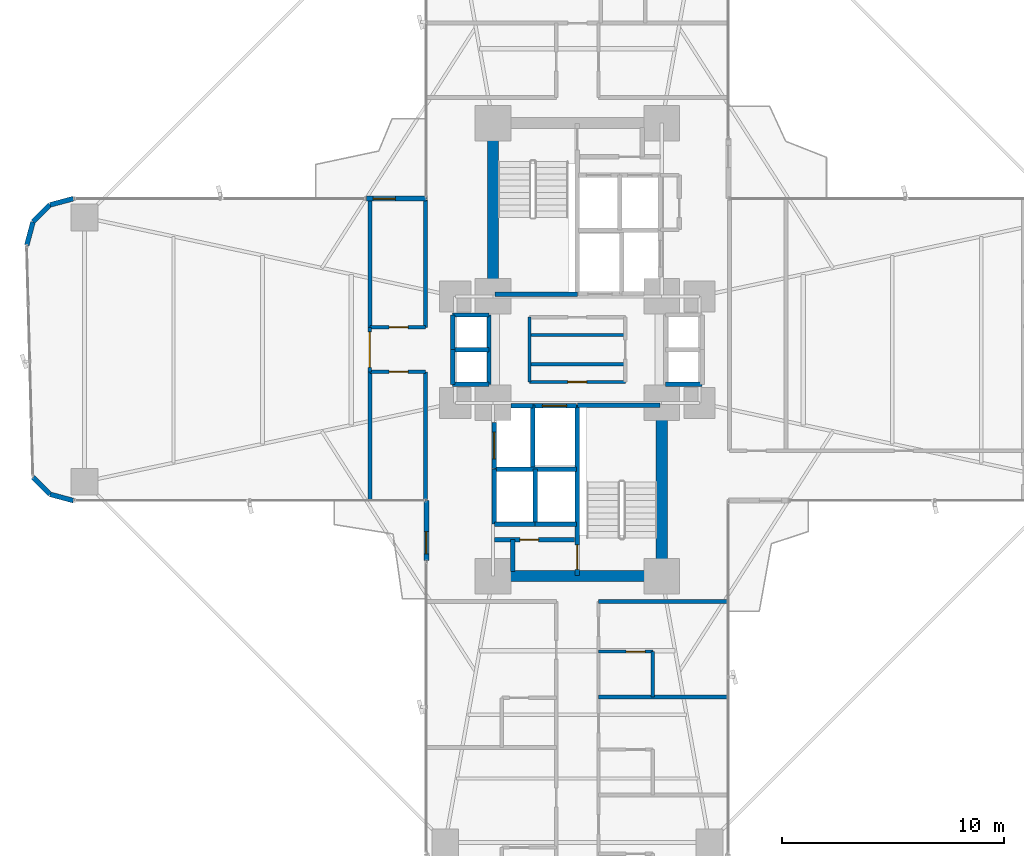
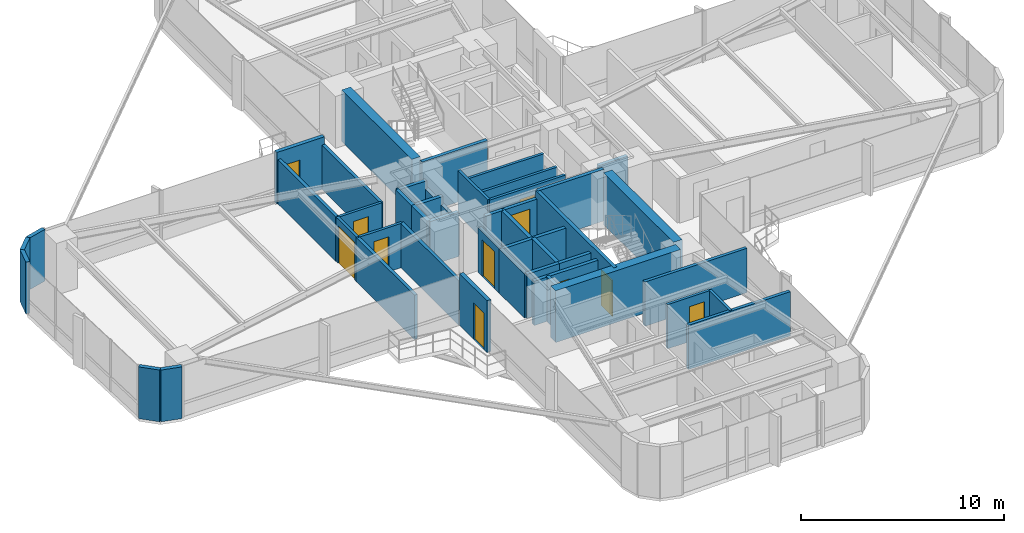
# One storey, part 22 of 25: 46 walls, 11 doors, 11 openings.
"""IFC4 building model written with IfcOpenShell, lengths in metres."""

from ifc_helpers import new_model, si_unit, direction, frame, frame_2d, origin, origin_2d, place, context, subcontext, project, spatial, rectangle, extrude, source, transform, mapped, material, layer, layer_set, type_object, element, fill, save


model = new_model("IFC4")

# Units and contexts
model_context = context("Model", 3, precision=1e-05, world=origin(), true_north=direction((0.0, 1.0)))
body_context = subcontext(model_context, "Body", "Model", "MODEL_VIEW")
ifc_project = project(units=[si_unit("LENGTHUNIT", "METRE"), si_unit("AREAUNIT", "SQUARE_METRE"), si_unit("VOLUMEUNIT", "CUBIC_METRE"), si_unit("PLANEANGLEUNIT", "RADIAN"), si_unit("MASSUNIT", "GRAM", prefix="KILO")], contexts=[model_context])

# Site, building, storey
site_placement = place(None, origin())
site = spatial("IfcSite", under=ifc_project, at=site_placement, CompositionType="ELEMENT")
building_placement = place(site_placement, origin())
building = spatial("IfcBuilding", under=site, at=building_placement, Name="Sahyath Konkavel Grand Hotel", CompositionType="ELEMENT")
storey_placement = place(building_placement, frame((0.0, 0.0, 64.449951171875)))
storey = spatial("IfcBuildingStorey", under=building, at=storey_placement, Name="L17", CompositionType="ELEMENT", Elevation=64.449951171875)

# Walls
ifc_material_1 = material(Name="Concrete C70/85", Category="concrete")
ifc_layer_1 = layer(ifc_material_1, 0.5)
ifc_layer_set_1 = layer_set([ifc_layer_1], Name="Concrete C70/85")
wall_type_1 = type_object("IfcWallType", Name="CWALL-500", PredefinedType="SHEAR", material=ifc_layer_set_1)
wall_1_placement = place(storey_placement, frame((-3.800048828125, 2.85009765625, 0.0), z_axis=(0.0, 0.0, 1.0), x_axis=(0.0, 1.0, 0.0)))
element("IfcWall", 1, at=wall_1_placement, inside=storey, type_object=wall_type_1, Name="L17 North Core Shear Wall W", PredefinedType="SHEAR", context=body_context, shape_type="SweptSolid", body=[
    extrude(rectangle(XDim=6.89990234375, YDim=0.5, at=frame_2d((3.449951171875, 0.0))), origin(), (0.0, 0.0, 1.0), 3.110107421875),
])
wall_2_placement = place(storey_placement, frame((-3.550048828125, -10.199951171875, 0.0), z_axis=(0.0, 0.0, 1.0), x_axis=(1.0, 0.0, 0.0)))
element("IfcWall", 2, at=wall_2_placement, inside=storey, type_object=wall_type_1, Name="L17 South Core Shear Wall S", PredefinedType="SHEAR", context=body_context, shape_type="SweptSolid", body=[
    extrude(rectangle(XDim=7.10009765625, YDim=0.5, at=frame_2d((3.550048828125, 0.0))), origin(), (0.0, 0.0, 1.0), 3.110107421875),
])
wall_3_placement = place(storey_placement, frame((3.800048828125, -9.75, 0.0), z_axis=(0.0, 0.0, 1.0), x_axis=(0.0, 1.0, 0.0)))
element("IfcWall", 3, at=wall_3_placement, inside=storey, type_object=wall_type_1, Name="L17 South Core Shear Wall E", PredefinedType="SHEAR", context=body_context, shape_type="SweptSolid", body=[
    extrude(rectangle(XDim=6.89990234375, YDim=0.5, at=frame_2d((3.449951171875, 0.0))), origin(), (0.0, 0.0, 1.0), 3.110107421875),
])

# Wall, opening, door
ifc_material_2 = material(Name="Warm Buff Sandstone Insulated Concrete C40/50", Category="masonry")
ifc_layer_2 = layer(ifc_material_2, 0.219970703125)
ifc_layer_set_2 = layer_set([ifc_layer_2], Name="Warm Buff Sandstone Insulated Concrete C40/50")
wall_type_2 = type_object("IfcWallType", Name="WLL-BALC-THRESH", PredefinedType="STANDARD", material=ifc_layer_set_2)
wall_4_placement = place(storey_placement, frame((-6.800048828125, 6.800048828125, 0.0), z_axis=(0.0, 0.0, 1.0), x_axis=(-1.0, 0.0, 0.0)))
wall_4 = element("IfcWall", 4, at=wall_4_placement, inside=storey, type_object=wall_type_2, Name="L17 Winter-Garden Threshold Wall 16", PredefinedType="STANDARD", context=body_context, shape_type="SweptSolid", body=[
    extrude(rectangle(XDim=2.699951171875, YDim=0.219970703125, at=frame_2d((1.35009765625, 0.0))), origin(), (0.0, 0.0, 1.0), 3.110107421875),
])
opening_1_placement = place(wall_4_placement, frame((1.39990234375, 0.0, 0.0)))
opening_1 = element("IfcOpeningElement", 5, at=opening_1_placement, cuts=wall_4, Name="Opening D-TR1", PredefinedType="OPENING", context=body_context, shape_type="SweptSolid", body=[
    extrude(rectangle(XDim=1.0, YDim=2.199951171875, at=frame_2d((0.5, 1.10009765625))), frame((0.0, 0.1201171875, 0.0), z_axis=(0.0, -1.0, 0.0), x_axis=(1.0, 0.0, 0.0)), (0.0, 0.0, 1.0), 0.239990234375),
])
ifc_material_3 = material(Name="Anodised Bronze Aluminium & Low-E Glazing", Category="aluminium")
door_type_1 = type_object("IfcDoorType", Name="DR-TERRACE-1000", OperationType="NOTDEFINED", PredefinedType="DOOR", material=ifc_material_3)
shared_shape_1 = source(origin(), body_context, "Body", "SweptSolid", [
    extrude(rectangle(XDim=1.0, YDim=0.050048828125, at=origin_2d()), origin(), (0.0, 0.0, 1.0), 2.199951171875),
])
door_1_placement = place(opening_1_placement, frame((0.5, 0.0, 0.0)))
door_1 = element("IfcDoor", 6, at=door_1_placement, inside=storey, type_object=door_type_1, Name="L17 Winter-Garden Terrace Door 16", OperationType="SINGLE_SWING_LEFT", OverallHeight=2.199951171875, OverallWidth=1.0, PredefinedType="DOOR", context=body_context, shape_type="MappedRepresentation", body=[
    mapped(shared_shape_1, transform((0.0, 0.0, 0.0), scale=1.0)),
])
fill(opening_1, door_1)

# Walls
for number, where, z_axis, x_axis, name in (
    (7, (-22.699951171875, 6.800048828125, 0.0), (0.0, 0.0, 1.0), (-0.965951058412, -0.25872485917, 0.0), "L17 Rounded Corner Sandstone Pier 17"),
    (8, (-23.75, 6.518798828125, 0.0), (0.0, 0.0, 1.0), (-0.707106781187, -0.707106781187, 0.0), "L17 Rounded Corner Sandstone Pier 18"),
    (9, (-24.518798828125, 5.75, 0.0), (0.0, 0.0, 1.0), (-0.25872485917, -0.965951058412, 0.0), "L17 Rounded Corner Sandstone Pier 19"),
    (10, (-24.518798828125, -5.75, 0.0), (0.0, 0.0, 1.0), (0.707106781187, -0.707106781187, 0.0), "L17 Rounded Corner Sandstone Pier 21"),
    (11, (-23.75, -6.518798828125, 0.0), (0.0, 0.0, 1.0), (0.965951058412, -0.25872485917, 0.0), "L17 Rounded Corner Sandstone Pier 22"),
):
    element("IfcWall", number, at=place(storey_placement, frame(where, z_axis=z_axis, x_axis=x_axis)), inside=storey, type_object=wall_type_2, Name=name, PredefinedType="STANDARD", context=body_context, shape_type="SweptSolid", body=[
        extrude(rectangle(XDim=1.087158203125, YDim=0.219970703125, at=frame_2d((0.54345703125, 0.0))), origin(), (0.0, 0.0, 1.0), 3.110107421875),
    ])

# Wall, opening, door
wall_5_placement = place(storey_placement, frame((-6.800048828125, -6.800048828125, 0.0), z_axis=(0.0, 0.0, 1.0), x_axis=(0.0, -1.0, 0.0)))
wall_5 = element("IfcWall", 12, at=wall_5_placement, inside=storey, type_object=wall_type_2, Name="L17 Winter-Garden Threshold Wall 24", PredefinedType="STANDARD", context=body_context, shape_type="SweptSolid", body=[
    extrude(rectangle(XDim=2.699951171875, YDim=0.219970703125, at=frame_2d((1.35009765625, 0.0))), origin(), (0.0, 0.0, 1.0), 3.110107421875),
])
opening_2_placement = place(wall_5_placement, frame((1.39990234375, 0.0, 0.0)))
opening_2 = element("IfcOpeningElement", 13, at=opening_2_placement, cuts=wall_5, Name="Opening D-TR1", PredefinedType="OPENING", context=body_context, shape_type="SweptSolid", body=[
    extrude(rectangle(XDim=1.0, YDim=2.199951171875, at=frame_2d((0.5, 1.10009765625))), frame((0.0, 0.1201171875, 0.0), z_axis=(0.0, -1.0, 0.0), x_axis=(1.0, 0.0, 0.0)), (0.0, 0.0, 1.0), 0.239990234375),
])
door_2_placement = place(opening_2_placement, frame((0.5, 0.0, 0.0)))
door_2 = element("IfcDoor", 14, at=door_2_placement, inside=storey, type_object=door_type_1, Name="L17 Winter-Garden Terrace Door 24", OperationType="SINGLE_SWING_LEFT", OverallHeight=2.199951171875, OverallWidth=1.0, PredefinedType="DOOR", context=body_context, shape_type="MappedRepresentation", body=[
    mapped(shared_shape_1, transform((0.0, 0.0, 0.0), scale=1.0)),
])
fill(opening_2, door_2)

# Wall
ifc_material_4 = material(Name="Concrete C40/50", Category="concrete")
ifc_layer_3 = layer(ifc_material_4, 0.199951171875)
ifc_layer_set_3 = layer_set([ifc_layer_3], Name="Concrete C40/50")
wall_type_3 = type_object("IfcWallType", Name="WLL-CORE-200", PredefinedType="SOLIDWALL", material=ifc_layer_set_3)
wall_6_placement = place(storey_placement, frame((-3.719970703125, 2.5, 0.0), z_axis=(0.0, 0.0, 1.0), x_axis=(1.0, 0.0, 0.0)))
element("IfcWall", 15, at=wall_6_placement, inside=storey, type_object=wall_type_3, Name="L17 Stair ST-1 Shaft Wall S", PredefinedType="SOLIDWALL", context=body_context, shape_type="SweptSolid", body=[
    extrude(rectangle(XDim=3.719970703125, YDim=0.199951171875, at=frame_2d((1.85986328125, 0.0))), origin(), (0.0, 0.0, 1.0), 3.110107421875),
])

# Wall, opening, door
wall_7_placement = place(storey_placement, frame((0.0, -10.179931640625, 0.0), z_axis=(0.0, 0.0, 1.0), x_axis=(0.0, 1.0, 0.0)))
wall_7 = element("IfcWall", 16, at=wall_7_placement, inside=storey, type_object=wall_type_3, Name="L17 Stair ST-2 Shaft Wall W", PredefinedType="SOLIDWALL", context=body_context, shape_type="SweptSolid", body=[
    extrude(rectangle(XDim=7.679931640625, YDim=0.199951171875, at=frame_2d((3.83984375, 0.0))), origin(), (0.0, 0.0, 1.0), 3.110107421875),
])
opening_3_placement = place(wall_7_placement, frame((0.280029296875, 0.0, 0.0)))
opening_3 = element("IfcOpeningElement", 17, at=opening_3_placement, cuts=wall_7, Name="Opening D-F12B", PredefinedType="OPENING", context=body_context, shape_type="SweptSolid", body=[
    extrude(rectangle(XDim=1.10009765625, YDim=2.14990234375, at=frame_2d((0.550048828125, 1.074951171875))), frame((0.0, 0.10986328125, 0.0), z_axis=(0.0, -1.0, 0.0), x_axis=(1.0, 0.0, 0.0)), (0.0, 0.0, 1.0), 0.219970703125),
])
ifc_material_5 = material(Name="Steel E350 Smokeproof Fire Door", Category="steel")
door_type_2 = type_object("IfcDoorType", Name="DR-FD120-1100", OperationType="NOTDEFINED", PredefinedType="DOOR", material=ifc_material_5)
shared_shape_2 = source(origin(), body_context, "Body", "SweptSolid", [
    extrude(rectangle(XDim=1.10009765625, YDim=0.050048828125, at=origin_2d()), origin(), (0.0, 0.0, 1.0), 2.14990234375),
])
door_3_placement = place(opening_3_placement, frame((0.550048828125, 0.0, 0.0)))
door_3 = element("IfcDoor", 18, at=door_3_placement, inside=storey, type_object=door_type_2, Name="L17 Stair ST-2 Fire Door", OperationType="SINGLE_SWING_LEFT", OverallHeight=2.14990234375, OverallWidth=1.10009765625, PredefinedType="DOOR", context=body_context, shape_type="MappedRepresentation", body=[
    mapped(shared_shape_2, transform((0.0, 0.0, 0.0), scale=1.0)),
])
fill(opening_3, door_3)

# Walls
wall_8_placement = place(storey_placement, frame((0.0, -2.5, 0.0), z_axis=(0.0, 0.0, 1.0), x_axis=(1.0, 0.0, 0.0)))
element("IfcWall", 19, at=wall_8_placement, inside=storey, type_object=wall_type_3, Name="L17 Stair ST-2 Shaft Wall N", PredefinedType="SOLIDWALL", context=body_context, shape_type="SweptSolid", body=[
    extrude(rectangle(XDim=3.719970703125, YDim=0.199951171875, at=frame_2d((1.85986328125, 0.0))), origin(), (0.0, 0.0, 1.0), 3.110107421875),
])
wall_9_placement = place(storey_placement, frame((-2.0, -5.280029296875, 0.0), z_axis=(0.0, 0.0, 1.0), x_axis=(0.0, 1.0, 0.0)))
element("IfcWall", 20, at=wall_9_placement, inside=storey, type_object=wall_type_3, Name="L17 Partition SH-FFL2-W", PredefinedType="SOLIDWALL", context=body_context, shape_type="SweptSolid", body=[
    extrude(rectangle(XDim=2.780029296875, YDim=0.199951171875, at=frame_2d((1.39013671875, 0.0))), origin(), (0.0, 0.0, 1.0), 2.66015625),
])

# Wall, opening, door
wall_10_placement = place(storey_placement, frame((-2.0, -2.52001953125, 0.0), z_axis=(0.0, 0.0, 1.0), x_axis=(1.0, 0.0, 0.0)))
wall_10 = element("IfcWall", 21, at=wall_10_placement, inside=storey, type_object=wall_type_3, Name="L17 Partition SH-FFL2-N", PredefinedType="SOLIDWALL", context=body_context, shape_type="SweptSolid", body=[
    extrude(rectangle(XDim=1.949951171875, YDim=0.199951171875, at=frame_2d((0.97509765625, 0.0))), origin(), (0.0, 0.0, 1.0), 2.66015625),
])
opening_4_placement = place(wall_10_placement, frame((0.419921875, 0.0, 0.0)))
opening_4 = element("IfcOpeningElement", 22, at=opening_4_placement, cuts=wall_10, Name="Opening LD-11", PredefinedType="OPENING", context=body_context, shape_type="SweptSolid", body=[
    extrude(rectangle(XDim=1.10009765625, YDim=2.199951171875, at=frame_2d((0.550048828125, 1.10009765625))), frame((0.0, 0.10986328125, 0.0), z_axis=(0.0, -1.0, 0.0), x_axis=(1.0, 0.0, 0.0)), (0.0, 0.0, 1.0), 0.219970703125),
])
ifc_material_6 = material(Name="Bronze Lift Landing Door 1100")
door_type_3 = type_object("IfcDoorType", Name="DR-LIFT-1100", OperationType="DOUBLE_DOOR_SLIDING", PredefinedType="DOOR", material=ifc_material_6)
shared_shape_3 = source(origin(), body_context, "Body", "SweptSolid", [
    extrude(rectangle(XDim=1.10009765625, YDim=0.050048828125, at=origin_2d()), origin(), (0.0, 0.0, 1.0), 2.199951171875),
])
door_4_placement = place(opening_4_placement, frame((0.550048828125, 0.0, 0.0)))
door_4 = element("IfcDoor", 23, at=door_4_placement, inside=storey, type_object=door_type_3, Name="L17 Lift FFL-2 Landing Door", OperationType="DOUBLE_DOOR_SLIDING", OverallHeight=2.199951171875, OverallWidth=1.10009765625, PredefinedType="DOOR", context=body_context, shape_type="MappedRepresentation", body=[
    mapped(shared_shape_3, transform((0.0, 0.0, 0.0), scale=1.0)),
])
fill(opening_4, door_4)

# Wall
wall_11_placement = place(storey_placement, frame((-3.0, -2.52001953125, 0.0), z_axis=(0.0, 0.0, 1.0), x_axis=(1.0, 0.0, 0.0)))
element("IfcWall", 24, at=wall_11_placement, inside=storey, type_object=wall_type_3, Name="L17 Partition SH-SVL2-N", PredefinedType="SOLIDWALL", context=body_context, shape_type="SweptSolid", body=[
    extrude(rectangle(XDim=1.0, YDim=0.199951171875, at=frame_2d((0.5, 0.0))), origin(), (0.0, 0.0, 1.0), 2.66015625),
])

# Wall, opening, door
wall_12_placement = place(storey_placement, frame((-3.739990234375, -5.360107421875, 0.0), z_axis=(0.0, 0.0, 1.0), x_axis=(0.0, 1.0, 0.0)))
wall_12 = element("IfcWall", 25, at=wall_12_placement, inside=storey, type_object=wall_type_3, Name="L17 Partition SH-SVL2-W", PredefinedType="SOLIDWALL", context=body_context, shape_type="SweptSolid", body=[
    extrude(rectangle(XDim=2.080078125, YDim=0.199951171875, at=frame_2d((1.0400390625, 0.0))), origin(), (0.0, 0.0, 1.0), 2.66015625),
])
opening_5_placement = place(wall_12_placement, frame((0.43994140625, 0.0, 0.0)))
opening_5 = element("IfcOpeningElement", 26, at=opening_5_placement, cuts=wall_12, Name="Opening LD-12", PredefinedType="OPENING", context=body_context, shape_type="SweptSolid", body=[
    extrude(rectangle(XDim=1.199951171875, YDim=2.199951171875, at=frame_2d((0.60009765625, 1.10009765625))), frame((0.0, 0.10986328125, 0.0), z_axis=(0.0, -1.0, 0.0), x_axis=(1.0, 0.0, 0.0)), (0.0, 0.0, 1.0), 0.219970703125),
])
ifc_material_7 = material(Name="Stainless Steel Lift Landing Door 1200", Category="steel")
door_type_4 = type_object("IfcDoorType", Name="DR-LIFT-1200", OperationType="DOUBLE_DOOR_SLIDING", PredefinedType="DOOR", material=ifc_material_7)
shared_shape_4 = source(origin(), body_context, "Body", "SweptSolid", [
    extrude(rectangle(XDim=1.199951171875, YDim=0.050048828125, at=origin_2d()), origin(), (0.0, 0.0, 1.0), 2.199951171875),
])
door_5_placement = place(opening_5_placement, frame((0.60009765625, 0.0, 0.0)))
door_5 = element("IfcDoor", 27, at=door_5_placement, inside=storey, type_object=door_type_4, Name="L17 Service Lift SVL-2 Landing Door", OperationType="DOUBLE_DOOR_SLIDING", OverallHeight=2.199951171875, OverallWidth=1.199951171875, PredefinedType="DOOR", context=body_context, shape_type="MappedRepresentation", body=[
    mapped(shared_shape_4, transform((0.0, 0.0, 0.0), scale=1.0)),
])
fill(opening_5, door_5)

# Walls
wall_13_placement = place(storey_placement, frame((-3.739990234375, -7.860107421875, 0.0), z_axis=(0.0, 0.0, 1.0), x_axis=(0.0, 1.0, 0.0)))
element("IfcWall", 28, at=wall_13_placement, inside=storey, type_object=wall_type_3, Name="L17 Partition SH-PL3-W", PredefinedType="SOLIDWALL", context=body_context, shape_type="SweptSolid", body=[
    extrude(rectangle(XDim=2.480224609375, YDim=0.199951171875, at=frame_2d((1.240234375, 0.0))), origin(), (0.0, 0.0, 1.0), 2.66015625),
])
wall_14_placement = place(storey_placement, frame((-3.739990234375, -7.860107421875, 0.0), z_axis=(0.0, 0.0, 1.0), x_axis=(1.0, 0.0, 0.0)))
element("IfcWall", 29, at=wall_14_placement, inside=storey, type_object=wall_type_3, Name="L17 Partition SH-PL3-S", PredefinedType="SOLIDWALL", context=body_context, shape_type="SweptSolid", body=[
    extrude(rectangle(XDim=1.840087890625, YDim=0.199951171875, at=frame_2d((0.919921875, 0.0))), origin(), (0.0, 0.0, 1.0), 2.66015625),
])
wall_15_placement = place(storey_placement, frame((-3.739990234375, -5.3798828125, 0.0), z_axis=(0.0, 0.0, 1.0), x_axis=(1.0, 0.0, 0.0)))
element("IfcWall", 30, at=wall_15_placement, inside=storey, type_object=wall_type_3, Name="L17 Partition SH-PL34-N", PredefinedType="SOLIDWALL", context=body_context, shape_type="SweptSolid", body=[
    extrude(rectangle(XDim=3.68994140625, YDim=0.199951171875, at=frame_2d((1.844970703125, 0.0))), origin(), (0.0, 0.0, 1.0), 2.66015625),
])
wall_16_placement = place(storey_placement, frame((-1.89990234375, -7.860107421875, 0.0), z_axis=(0.0, 0.0, 1.0), x_axis=(0.0, 1.0, 0.0)))
element("IfcWall", 31, at=wall_16_placement, inside=storey, type_object=wall_type_3, Name="L17 Partition SH-PL34-M", PredefinedType="SOLIDWALL", context=body_context, shape_type="SweptSolid", body=[
    extrude(rectangle(XDim=2.480224609375, YDim=0.199951171875, at=frame_2d((1.240234375, 0.0))), origin(), (0.0, 0.0, 1.0), 2.66015625),
])
wall_17_placement = place(storey_placement, frame((-1.89990234375, -7.860107421875, 0.0), z_axis=(0.0, 0.0, 1.0), x_axis=(1.0, 0.0, 0.0)))
element("IfcWall", 32, at=wall_17_placement, inside=storey, type_object=wall_type_3, Name="L17 Partition SH-PL4-S", PredefinedType="SOLIDWALL", context=body_context, shape_type="SweptSolid", body=[
    extrude(rectangle(XDim=1.849853515625, YDim=0.199951171875, at=frame_2d((0.9248046875, 0.0))), origin(), (0.0, 0.0, 1.0), 2.66015625),
])
wall_18_placement = place(storey_placement, frame((3.97998046875, -1.56005859375, 0.0), z_axis=(0.0, 0.0, 1.0), x_axis=(1.0, 0.0, 0.0)))
element("IfcWall", 33, at=wall_18_placement, inside=storey, type_object=wall_type_3, Name="L17 Partition SH-PL56-S", PredefinedType="SOLIDWALL", context=body_context, shape_type="SweptSolid", body=[
    extrude(rectangle(XDim=1.64013671875, YDim=0.199951171875, at=frame_2d((0.820068359375, 0.0))), origin(), (0.0, 0.0, 1.0), 2.66015625),
])
wall_19_placement = place(storey_placement, frame((-3.97998046875, -1.56005859375, 0.0), z_axis=(0.0, 0.0, 1.0), x_axis=(0.0, 1.0, 0.0)))
element("IfcWall", 34, at=wall_19_placement, inside=storey, type_object=wall_type_3, Name="L17 Partition SH-SL12-E", PredefinedType="SOLIDWALL", context=body_context, shape_type="SweptSolid", body=[
    extrude(rectangle(XDim=3.1201171875, YDim=0.199951171875, at=frame_2d((1.56005859375, 0.0))), origin(), (0.0, 0.0, 1.0), 2.179931640625),
])
for number, where, z_axis, x_axis, name in (
    (35, (-5.6201171875, 1.56005859375, 0.0), (0.0, 0.0, 1.0), (1.0, 0.0, 0.0), "L17 Partition SH-SL12-N"),
    (36, (-5.6201171875, -1.56005859375, 0.0), (0.0, 0.0, 1.0), (1.0, 0.0, 0.0), "L17 Partition SH-SL12-S"),
    (37, (-5.6201171875, 0.0, 0.0), (0.0, 0.0, 1.0), (1.0, 0.0, 0.0), "L17 Partition SH-SL12-M"),
):
    element("IfcWall", number, at=place(storey_placement, frame(where, z_axis=z_axis, x_axis=x_axis)), inside=storey, type_object=wall_type_3, Name=name, PredefinedType="SOLIDWALL", context=body_context, shape_type="SweptSolid", body=[
        extrude(rectangle(XDim=1.64013671875, YDim=0.199951171875, at=frame_2d((0.820068359375, 0.0))), origin(), (0.0, 0.0, 1.0), 2.66015625),
    ])
for number, where, z_axis, x_axis, name in (
    (38, (-5.6201171875, 0.0, 0.0), (0.0, 0.0, 1.0), (0.0, 1.0, 0.0), "L17 Partition SH-SL1-W"),
    (39, (-5.6201171875, -1.56005859375, 0.0), (0.0, 0.0, 1.0), (0.0, 1.0, 0.0), "L17 Partition SH-SL2-W"),
):
    element("IfcWall", number, at=place(storey_placement, frame(where, z_axis=z_axis, x_axis=x_axis)), inside=storey, type_object=wall_type_3, Name=name, PredefinedType="SOLIDWALL", context=body_context, shape_type="SweptSolid", body=[
        extrude(rectangle(XDim=1.56005859375, YDim=0.199951171875, at=frame_2d((0.780029296875, 0.0))), origin(), (0.0, 0.0, 1.0), 2.66015625),
    ])

# Wall, opening, door
wall_20_placement = place(storey_placement, frame((-3.739990234375, -8.56005859375, 0.0), z_axis=(0.0, 0.0, 1.0), x_axis=(1.0, 0.0, 0.0)))
wall_20 = element("IfcWall", 40, at=wall_20_placement, inside=storey, type_object=wall_type_3, Name="L17 South FF Lobby Separation Wall", PredefinedType="SOLIDWALL", context=body_context, shape_type="SweptSolid", body=[
    extrude(rectangle(XDim=3.619873046875, YDim=0.199951171875, at=frame_2d((1.81005859375, 0.0))), origin(), (0.0, 0.0, 1.0), 2.66015625),
])
opening_6_placement = place(wall_20_placement, frame((1.14990234375, 0.0, 0.0)))
opening_6 = element("IfcOpeningElement", 41, at=opening_6_placement, cuts=wall_20, Name="Opening D-F12D", PredefinedType="OPENING", context=body_context, shape_type="SweptSolid", body=[
    extrude(rectangle(XDim=0.85009765625, YDim=2.10009765625, at=frame_2d((0.425048828125, 1.050048828125))), frame((0.0, 0.10986328125, 0.0), z_axis=(0.0, -1.0, 0.0), x_axis=(1.0, 0.0, 0.0)), (0.0, 0.0, 1.0), 0.219970703125),
])
ifc_material_8 = material(Name="Steel E350 Core Fire Door", Category="steel")
door_type_5 = type_object("IfcDoorType", Name="DR-FD120-850", OperationType="NOTDEFINED", PredefinedType="DOOR", material=ifc_material_8)
shared_shape_5 = source(origin(), body_context, "Body", "SweptSolid", [
    extrude(rectangle(XDim=0.85009765625, YDim=0.050048828125, at=origin_2d()), origin(), (0.0, 0.0, 1.0), 2.10009765625),
])
door_6_placement = place(opening_6_placement, frame((0.425048828125, 0.0, 0.0)))
door_6 = element("IfcDoor", 42, at=door_6_placement, inside=storey, type_object=door_type_5, Name="L17 South Firefighting Lobby Door", OperationType="SINGLE_SWING_RIGHT", OverallHeight=2.10009765625, OverallWidth=0.85009765625, PredefinedType="DOOR", context=body_context, shape_type="MappedRepresentation", body=[
    mapped(shared_shape_5, transform((0.0, 0.0, 0.0), scale=1.0)),
])
fill(opening_6, door_6)

# Walls
wall_21_placement = place(storey_placement, frame((-2.919921875, -10.0, 0.0), z_axis=(0.0, 0.0, 1.0), x_axis=(0.0, 1.0, 0.0)))
element("IfcWall", 43, at=wall_21_placement, inside=storey, type_object=wall_type_3, Name="L17 Partition SFF-W2", PredefinedType="SOLIDWALL", context=body_context, shape_type="SweptSolid", body=[
    extrude(rectangle(XDim=1.43994140625, YDim=0.199951171875, at=frame_2d((0.719970703125, 0.0))), origin(), (0.0, 0.0, 1.0), 2.66015625),
])
ifc_material_9 = material(Name="Twin-Stud Acoustic Gypsum Plasterboard Partition")
ifc_layer_4 = layer(ifc_material_9, 0.179931640625)
ifc_layer_set_4 = layer_set([ifc_layer_4], Name="Twin-Stud Acoustic Gypsum Plasterboard Partition")
wall_type_4 = type_object("IfcWallType", Name="WLL-DEMISE-180", PredefinedType="PARTITIONING", material=ifc_layer_set_4)
for number, where, z_axis, x_axis, name in (
    (44, (-6.85009765625, -1.0, 0.0), (0.0, 0.0, 1.0), (0.0, -1.0, 0.0), "L17 Partition W-I0L"),
    (45, (-6.85009765625, 6.75, 0.0), (0.0, 0.0, 1.0), (0.0, -1.0, 0.0), "L17 Partition W-I0R"),
    (46, (-9.35009765625, 1.0, 0.0), (0.0, 0.0, 1.0), (0.0, 1.0, 0.0), "L17 Partition W-WHK0-DEM"),
    (47, (-9.35009765625, -1.0, 0.0), (0.0, 0.0, 1.0), (0.0, -1.0, 0.0), "L17 Partition W-WST0-DEM"),
):
    element("IfcWall", number, at=place(storey_placement, frame(where, z_axis=z_axis, x_axis=x_axis)), inside=storey, type_object=wall_type_4, Name=name, PredefinedType="PARTITIONING", context=body_context, shape_type="SweptSolid", body=[
        extrude(rectangle(XDim=5.75, YDim=0.179931640625, at=frame_2d((2.875, 0.0))), origin(), (0.0, 0.0, 1.0), 2.66015625),
    ])
for number, where, z_axis, x_axis, name in (
    (48, (0.949951171875, -11.35009765625, 0.0), (0.0, 0.0, 1.0), (1.0, 0.0, 0.0), "L17 Partition S-INL"),
    (49, (0.949951171875, -15.637939453125, 0.0), (0.0, 0.0, 1.0), (1.0, 0.0, 0.0), "L17 Partition S-S1L-DEM"),
):
    element("IfcWall", number, at=place(storey_placement, frame(where, z_axis=z_axis, x_axis=x_axis)), inside=storey, type_object=wall_type_4, Name=name, PredefinedType="PARTITIONING", context=body_context, shape_type="SweptSolid", body=[
        extrude(rectangle(XDim=5.800048828125, YDim=0.179931640625, at=frame_2d((2.89990234375, 0.0))), origin(), (0.0, 0.0, 1.0), 2.66015625),
    ])
ifc_material_10 = material(Name="Fire-Rated Gypsum Plasterboard Partition")
ifc_layer_5 = layer(ifc_material_10, 0.14990234375)
ifc_layer_set_5 = layer_set([ifc_layer_5], Name="Fire-Rated Gypsum Plasterboard Partition")
wall_type_5 = type_object("IfcWallType", Name="WLL-PART-150", PredefinedType="PARTITIONING", material=ifc_layer_set_5)
wall_22_placement = place(storey_placement, frame((-2.159912109375, -1.4599609375, 0.0), z_axis=(0.0, 0.0, 1.0), x_axis=(0.0, 1.0, 0.0)))
element("IfcWall", 50, at=wall_22_placement, inside=storey, type_object=wall_type_5, Name="L17 Partition CC-2W", PredefinedType="PARTITIONING", context=body_context, shape_type="SweptSolid", body=[
    extrude(rectangle(XDim=2.919921875, YDim=0.14990234375, at=frame_2d((1.4599609375, 0.0))), origin(), (0.0, 0.0, 1.0), 2.66015625),
])

# Wall, opening, door
wall_23_placement = place(storey_placement, frame((-2.159912109375, -1.4599609375, 0.0), z_axis=(0.0, 0.0, 1.0), x_axis=(1.0, 0.0, 0.0)))
wall_23 = element("IfcWall", 51, at=wall_23_placement, inside=storey, type_object=wall_type_5, Name="L17 Partition CC-2S", PredefinedType="PARTITIONING", context=body_context, shape_type="SweptSolid", body=[
    extrude(rectangle(XDim=4.31982421875, YDim=0.14990234375, at=frame_2d((2.159912109375, 0.0))), origin(), (0.0, 0.0, 1.0), 2.66015625),
])
opening_7_placement = place(wall_23_placement, frame((1.72998046875, 0.0, 0.0)))
opening_7 = element("IfcOpeningElement", 52, at=opening_7_placement, cuts=wall_23, Name="Opening D-F06D", PredefinedType="OPENING", context=body_context, shape_type="SweptSolid", body=[
    extrude(rectangle(XDim=0.85009765625, YDim=2.10009765625, at=frame_2d((0.425048828125, 1.050048828125))), frame((0.0, 0.0849609375, 0.0), z_axis=(0.0, -1.0, 0.0), x_axis=(1.0, 0.0, 0.0)), (0.0, 0.0, 1.0), 0.169921875),
])
ifc_material_11 = material(Name="Fire-Rated Shaft Access Door")
door_type_6 = type_object("IfcDoorType", Name="DR-FD60-850", OperationType="NOTDEFINED", PredefinedType="DOOR", material=ifc_material_11)
door_7_placement = place(opening_7_placement, frame((0.425048828125, 0.0, 0.0)))
door_7 = element("IfcDoor", 53, at=door_7_placement, inside=storey, type_object=door_type_6, Name="L17 Door CC-D2C", OperationType="SINGLE_SWING_RIGHT", OverallHeight=2.10009765625, OverallWidth=0.85009765625, PredefinedType="DOOR", context=body_context, shape_type="MappedRepresentation", body=[
    mapped(shared_shape_5, transform((0.0, 0.0, 0.0), scale=1.0)),
])
fill(opening_7, door_7)

# Walls
for number, where, z_axis, x_axis, name in (
    (54, (-2.159912109375, 0.659912109375, 0.0), (0.0, 0.0, 1.0), (1.0, 0.0, 0.0), "L17 Partition CC-2M1"),
    (55, (-2.159912109375, -0.659912109375, 0.0), (0.0, 0.0, 1.0), (1.0, 0.0, 0.0), "L17 Partition CC-2M2"),
):
    element("IfcWall", number, at=place(storey_placement, frame(where, z_axis=z_axis, x_axis=x_axis)), inside=storey, type_object=wall_type_5, Name=name, PredefinedType="PARTITIONING", context=body_context, shape_type="SweptSolid", body=[
        extrude(rectangle(XDim=4.31982421875, YDim=0.14990234375, at=frame_2d((2.159912109375, 0.0))), origin(), (0.0, 0.0, 1.0), 2.66015625),
    ])

# Wall, opening, door
wall_24_placement = place(storey_placement, frame((-6.85009765625, -1.0, 0.0), z_axis=(0.0, 0.0, 1.0), x_axis=(-1.0, 0.0, 0.0)))
wall_24 = element("IfcWall", 56, at=wall_24_placement, inside=storey, type_object=wall_type_5, Name="L17 Partition W-C0L", PredefinedType="PARTITIONING", context=body_context, shape_type="SweptSolid", body=[
    extrude(rectangle(XDim=2.5, YDim=0.14990234375, at=frame_2d((1.25, 0.0))), origin(), (0.0, 0.0, 1.0), 2.66015625),
])
opening_8_placement = place(wall_24_placement, frame((0.77490234375, 0.0, 0.0)))
opening_8 = element("IfcOpeningElement", 57, at=opening_8_placement, cuts=wall_24, Name="Opening D-F06D", PredefinedType="OPENING", context=body_context, shape_type="SweptSolid", body=[
    extrude(rectangle(XDim=0.85009765625, YDim=2.10009765625, at=frame_2d((0.425048828125, 1.050048828125))), frame((0.0, 0.0849609375, 0.0), z_axis=(0.0, -1.0, 0.0), x_axis=(1.0, 0.0, 0.0)), (0.0, 0.0, 1.0), 0.169921875),
])
door_8_placement = place(opening_8_placement, frame((0.425048828125, 0.0, 0.0)))
door_8 = element("IfcDoor", 58, at=door_8_placement, inside=storey, type_object=door_type_6, Name="L17 Door W-WST0-D", OperationType="SINGLE_SWING_RIGHT", OverallHeight=2.10009765625, OverallWidth=0.85009765625, PredefinedType="DOOR", context=body_context, shape_type="MappedRepresentation", body=[
    mapped(shared_shape_5, transform((0.0, 0.0, 0.0), scale=1.0)),
])
fill(opening_8, door_8)

wall_25_placement = place(storey_placement, frame((-6.85009765625, 1.0, 0.0), z_axis=(0.0, 0.0, 1.0), x_axis=(-1.0, 0.0, 0.0)))
wall_25 = element("IfcWall", 59, at=wall_25_placement, inside=storey, type_object=wall_type_5, Name="L17 Partition W-C0R", PredefinedType="PARTITIONING", context=body_context, shape_type="SweptSolid", body=[
    extrude(rectangle(XDim=2.5, YDim=0.14990234375, at=frame_2d((1.25, 0.0))), origin(), (0.0, 0.0, 1.0), 2.66015625),
])
opening_9_placement = place(wall_25_placement, frame((0.77490234375, 0.0, 0.0)))
opening_9 = element("IfcOpeningElement", 60, at=opening_9_placement, cuts=wall_25, Name="Opening D-F06D", PredefinedType="OPENING", context=body_context, shape_type="SweptSolid", body=[
    extrude(rectangle(XDim=0.85009765625, YDim=2.10009765625, at=frame_2d((0.425048828125, 1.050048828125))), frame((0.0, 0.0849609375, 0.0), z_axis=(0.0, -1.0, 0.0), x_axis=(1.0, 0.0, 0.0)), (0.0, 0.0, 1.0), 0.169921875),
])
door_9_placement = place(opening_9_placement, frame((0.425048828125, 0.0, 0.0)))
door_9 = element("IfcDoor", 61, at=door_9_placement, inside=storey, type_object=door_type_6, Name="L17 Door W-WHK0-D", OperationType="SINGLE_SWING_LEFT", OverallHeight=2.10009765625, OverallWidth=0.85009765625, PredefinedType="DOOR", context=body_context, shape_type="MappedRepresentation", body=[
    mapped(shared_shape_5, transform((0.0, 0.0, 0.0), scale=1.0)),
])
fill(opening_9, door_9)

wall_26_placement = place(storey_placement, frame((-9.35009765625, 1.0, 0.0), z_axis=(0.0, 0.0, 1.0), x_axis=(0.0, -1.0, 0.0)))
wall_26 = element("IfcWall", 62, at=wall_26_placement, inside=storey, type_object=wall_type_5, Name="L17 Partition W-SAL-IN", PredefinedType="PARTITIONING", context=body_context, shape_type="SweptSolid", body=[
    extrude(rectangle(XDim=2.0, YDim=0.14990234375, at=frame_2d((1.0, 0.0))), origin(), (0.0, 0.0, 1.0), 2.66015625),
])
opening_10_placement = place(wall_26_placement, frame((0.199951171875, 0.0, 0.0)))
opening_10 = element("IfcOpeningElement", 63, at=opening_10_placement, cuts=wall_26, Name="Opening D-DB16", PredefinedType="OPENING", context=body_context, shape_type="SweptSolid", body=[
    extrude(rectangle(XDim=1.60009765625, YDim=2.25, at=frame_2d((0.800048828125, 1.125))), frame((0.0, 0.0849609375, 0.0), z_axis=(0.0, -1.0, 0.0), x_axis=(1.0, 0.0, 0.0)), (0.0, 0.0, 1.0), 0.169921875),
])
ifc_material_12 = material(Name="Double Leaf Lounge Glazed Timber Door", Category="wood")
door_type_7 = type_object("IfcDoorType", Name="DR-DBL-1600", OperationType="DOUBLE_DOOR_SINGLE_SWING", PredefinedType="DOOR", material=ifc_material_12)
shared_shape_6 = source(origin(), body_context, "Body", "SweptSolid", [
    extrude(rectangle(XDim=1.60009765625, YDim=0.050048828125, at=origin_2d()), origin(), (0.0, 0.0, 1.0), 2.25),
])
door_10_placement = place(opening_10_placement, frame((0.800048828125, 0.0, 0.0)))
door_10 = element("IfcDoor", 64, at=door_10_placement, inside=storey, type_object=door_type_7, Name="L17 Door W-SAL-D", OperationType="DOUBLE_DOOR_SINGLE_SWING", OverallHeight=2.25, OverallWidth=1.60009765625, PredefinedType="DOOR", context=body_context, shape_type="MappedRepresentation", body=[
    mapped(shared_shape_6, transform((0.0, 0.0, 0.0), scale=1.0)),
])
fill(opening_10, door_10)

wall_27_placement = place(storey_placement, frame((0.949951171875, -13.60009765625, 0.0), z_axis=(0.0, 0.0, 1.0), x_axis=(1.0, 0.0, 0.0)))
wall_27 = element("IfcWall", 65, at=wall_27_placement, inside=storey, type_object=wall_type_5, Name="L17 Partition S-S1L-BS", PredefinedType="PARTITIONING", context=body_context, shape_type="SweptSolid", body=[
    extrude(rectangle(XDim=2.449951171875, YDim=0.14990234375, at=frame_2d((1.22509765625, 0.0))), origin(), (0.0, 0.0, 1.0), 2.66015625),
])
opening_11_placement = place(wall_27_placement, frame((1.25, 0.0, 0.0)))
opening_11 = element("IfcOpeningElement", 66, at=opening_11_placement, cuts=wall_27, Name="Opening D-BT85", PredefinedType="OPENING", context=body_context, shape_type="SweptSolid", body=[
    extrude(rectangle(XDim=0.85009765625, YDim=2.10009765625, at=frame_2d((0.425048828125, 1.050048828125))), frame((0.0, 0.0849609375, 0.0), z_axis=(0.0, -1.0, 0.0), x_axis=(1.0, 0.0, 0.0)), (0.0, 0.0, 1.0), 0.169921875),
])
ifc_material_13 = material(Name="Moisture-Resistant Teak Bathroom Door")
door_type_8 = type_object("IfcDoorType", Name="DR-BATH-850", OperationType="NOTDEFINED", PredefinedType="DOOR", material=ifc_material_13)
door_11_placement = place(opening_11_placement, frame((0.425048828125, 0.0, 0.0)))
door_11 = element("IfcDoor", 67, at=door_11_placement, inside=storey, type_object=door_type_8, Name="L17 Door S-S1L-BD", OperationType="SINGLE_SWING_LEFT", OverallHeight=2.10009765625, OverallWidth=0.85009765625, PredefinedType="DOOR", context=body_context, shape_type="MappedRepresentation", body=[
    mapped(shared_shape_5, transform((0.0, 0.0, 0.0), scale=1.0)),
])
fill(opening_11, door_11)

# Wall
wall_28_placement = place(storey_placement, frame((3.39990234375, -13.60009765625, 0.0), z_axis=(0.0, 0.0, 1.0), x_axis=(0.0, -1.0, 0.0)))
element("IfcWall", 68, at=wall_28_placement, inside=storey, type_object=wall_type_5, Name="L17 Partition S-S1L-BF", PredefinedType="PARTITIONING", context=body_context, shape_type="SweptSolid", body=[
    extrude(rectangle(XDim=2.037841796875, YDim=0.14990234375, at=frame_2d((1.01904296875, 0.0))), origin(), (0.0, 0.0, 1.0), 2.66015625),
])

save(model, "model.ifc")
